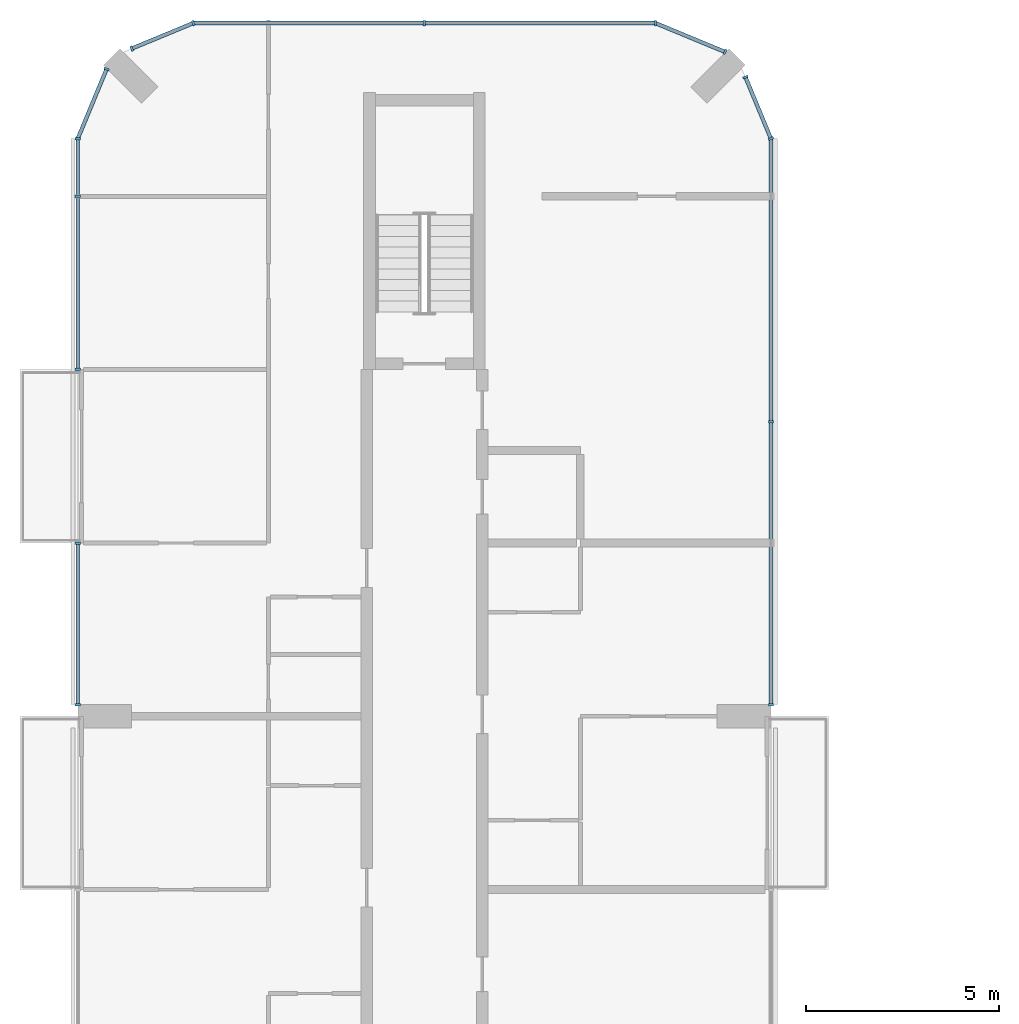
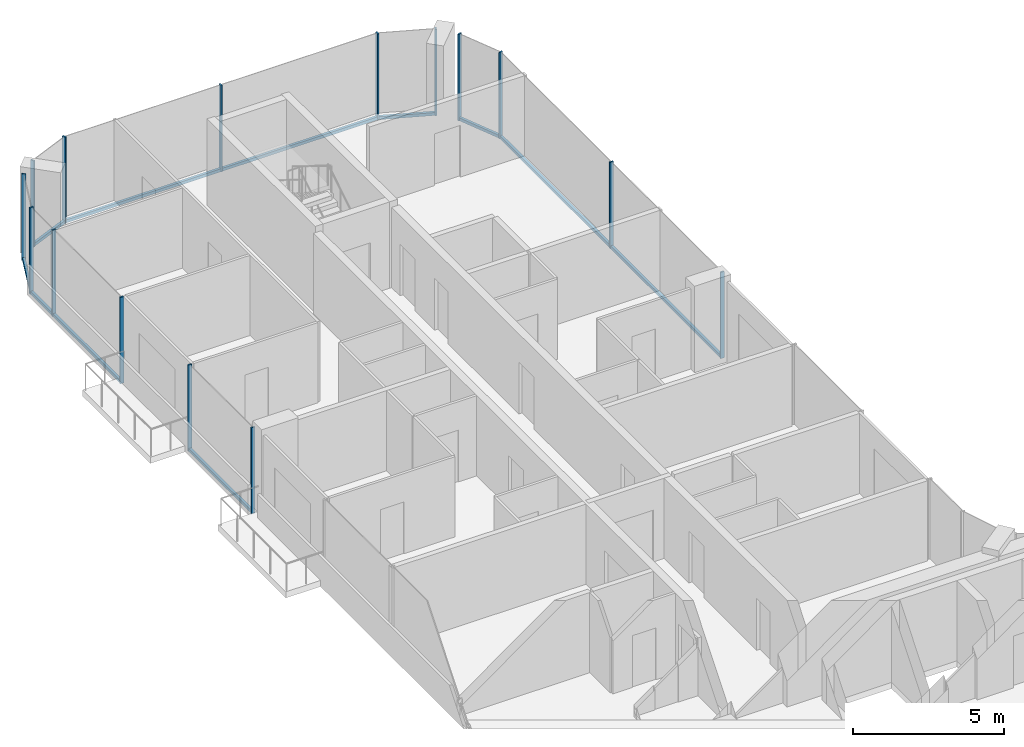
# One storey, part 7 of 15: 23 members, 8 elements without a shape of their own.
"""IFC4 building model written with IfcOpenShell, lengths in metres."""

from ifc_helpers import new_model, si_unit, direction, frame, origin, origin_2d, place, context, subcontext, project, spatial, rectangle, extrude, material, layer, layer_set, material_profile, profile_set, type_object, element, aggregate, save


model = new_model("IFC4")

# Units and contexts
model_context = context("Model", 3, precision=1e-05, world=origin(), true_north=direction((0.0, 1.0)))
body_context = subcontext(model_context, "Body", "Model", "MODEL_VIEW")
ifc_project = project(units=[si_unit("LENGTHUNIT", "METRE"), si_unit("AREAUNIT", "SQUARE_METRE"), si_unit("VOLUMEUNIT", "CUBIC_METRE"), si_unit("PLANEANGLEUNIT", "RADIAN"), si_unit("MASSUNIT", "GRAM", prefix="KILO")], contexts=[model_context])

# Site, building, storey
site_placement = place(None, origin())
site = spatial("IfcSite", under=ifc_project, at=site_placement, CompositionType="ELEMENT")
building_placement = place(site_placement, origin())
building = spatial("IfcBuilding", under=site, at=building_placement, Name="Plateau Cross Towers", CompositionType="ELEMENT")
storey_placement = place(building_placement, frame((0.0, 0.0, 153.39990234375)))
storey = spatial("IfcBuildingStorey", under=building, at=storey_placement, Name="L39", CompositionType="ELEMENT", Elevation=153.39990234375)

# Curtain wall, members
ifc_material_1 = material(Name="Dark low-iron glass", Category="glass")
ifc_layer = layer(ifc_material_1, 0.239990234375)
ifc_layer_set = layer_set([ifc_layer], Name="Dark low-iron glass")
curtain_wall_type = type_object("IfcCurtainWallType", Name="Curtain wall flush unitised CW-B", PredefinedType="NOTDEFINED", material=ifc_layer_set)
curtain_wall_1_placement = place(storey_placement, origin())
curtain_wall_1 = element("IfcCurtainWall", 1, at=curtain_wall_1_placement, inside=storey, type_object=curtain_wall_type, Name="ENV/A/L39/A180_363", PredefinedType="NOTDEFINED")
ifc_material_2 = material(Name="Black anodised aluminium", Category="aluminium")
ifc_material_profile_1 = material_profile(ifc_material_2, rectangle(XDim=0.06005859375, YDim=0.139892578125, at=origin_2d()), Name="MULLION 60x140")
ifc_profile_set_1 = profile_set([ifc_material_profile_1], Name="Black anodised aluminium")
member_type_1 = type_object("IfcMemberType", Name="Mullion 60x140 flush unitised", PredefinedType="MULLION", material=ifc_profile_set_1)
member_1_placement = place(storey_placement, frame((18.0, 36.300048828125, -0.25), z_axis=(0.0, 0.0, 1.0), x_axis=(0.0, 1.0, 0.0)))
member_1 = element("IfcMember", 2, at=member_1_placement, type_object=member_type_1, Name="CW-B mullion 1", PredefinedType="MULLION", context=body_context, shape_type="SweptSolid", body=[
    extrude(rectangle(XDim=0.06005859375, YDim=0.139892578125, at=origin_2d()), origin(), (0.0, 0.0, 1.0), 3.5),
])
member_2_placement = place(storey_placement, frame((18.0, 43.64990234375, -0.25), z_axis=(0.0, 0.0, 1.0), x_axis=(0.0, 1.0, 0.0)))
member_2 = element("IfcMember", 3, at=member_2_placement, type_object=member_type_1, Name="CW-B mullion 2", PredefinedType="MULLION", context=body_context, shape_type="SweptSolid", body=[
    extrude(rectangle(XDim=0.06005859375, YDim=0.139892578125, at=origin_2d()), origin(), (0.0, 0.0, 1.0), 3.5),
])

curtain_wall_2_placement = place(storey_placement, origin())
curtain_wall_2 = element("IfcCurtainWall", 4, at=curtain_wall_2_placement, inside=storey, type_object=curtain_wall_type, Name="ENV/A/L39/A180_510", PredefinedType="NOTDEFINED")
member_3_placement = place(storey_placement, frame((18.0, 51.0, -0.25), z_axis=(0.0, 0.0, 1.0), x_axis=(-0.382683612978, 0.923879457699, 0.0)))
member_3 = element("IfcMember", 5, at=member_3_placement, type_object=member_type_1, Name="CW-B mullion 1", PredefinedType="MULLION", context=body_context, shape_type="SweptSolid", body=[
    extrude(rectangle(XDim=0.06005859375, YDim=0.139892578125, at=origin_2d()), origin(), (0.0, 0.0, 1.0), 3.5),
])
member_4_placement = place(storey_placement, frame((17.338623046875, 52.5966796875, -0.25), z_axis=(0.0, 0.0, 1.0), x_axis=(-0.382683612978, 0.923879457699, 0.0)))
member_4 = element("IfcMember", 6, at=member_4_placement, type_object=member_type_1, Name="CW-B mullion 2", PredefinedType="MULLION", context=body_context, shape_type="SweptSolid", body=[
    extrude(rectangle(XDim=0.06005859375, YDim=0.139892578125, at=origin_2d()), origin(), (0.0, 0.0, 1.0), 3.5),
])

# Curtain wall, member
curtain_wall_3_placement = place(storey_placement, origin())
curtain_wall_3 = element("IfcCurtainWall", 7, at=curtain_wall_3_placement, inside=storey, type_object=curtain_wall_type, Name="ENV/A/L39/A168_533", PredefinedType="NOTDEFINED")
member_5_placement = place(storey_placement, frame((16.805908203125, 53.251953125, -0.25), z_axis=(0.0, 0.0, 1.0), x_axis=(-0.923879457699, 0.382683612978, 0.0)))
member_5 = element("IfcMember", 8, at=member_5_placement, type_object=member_type_1, Name="CW-B mullion 1", PredefinedType="MULLION", context=body_context, shape_type="SweptSolid", body=[
    extrude(rectangle(XDim=0.06005859375, YDim=0.139892578125, at=origin_2d()), origin(), (0.0, 0.0, 1.0), 3.5),
])

# Curtain wall, members
curtain_wall_4_placement = place(storey_placement, origin())
curtain_wall_4 = element("IfcCurtainWall", 9, at=curtain_wall_4_placement, inside=storey, type_object=curtain_wall_type, Name="ENV/A/L39/A150_540", PredefinedType="NOTDEFINED")
member_6_placement = place(storey_placement, frame((15.0, 54.0, -0.25), z_axis=(0.0, 0.0, 1.0), x_axis=(-1.0, 0.0, 0.0)))
member_6 = element("IfcMember", 10, at=member_6_placement, type_object=member_type_1, Name="CW-B mullion 1", PredefinedType="MULLION", context=body_context, shape_type="SweptSolid", body=[
    extrude(rectangle(XDim=0.06005859375, YDim=0.139892578125, at=origin_2d()), origin(), (0.0, 0.0, 1.0), 3.5),
])
member_7_placement = place(storey_placement, frame((9.0, 54.0, -0.25), z_axis=(0.0, 0.0, 1.0), x_axis=(-1.0, 0.0, 0.0)))
member_7 = element("IfcMember", 11, at=member_7_placement, type_object=member_type_1, Name="CW-B mullion 2", PredefinedType="MULLION", context=body_context, shape_type="SweptSolid", body=[
    extrude(rectangle(XDim=0.06005859375, YDim=0.139892578125, at=origin_2d()), origin(), (0.0, 0.0, 1.0), 3.5),
])

curtain_wall_5_placement = place(storey_placement, origin())
curtain_wall_5 = element("IfcCurtainWall", 12, at=curtain_wall_5_placement, inside=storey, type_object=curtain_wall_type, Name="ENV/A/L39/A30_540", PredefinedType="NOTDEFINED")
member_8_placement = place(storey_placement, frame((3.0, 54.0, -0.25), z_axis=(0.0, 0.0, 1.0), x_axis=(-0.923879457699, -0.382683612978, 0.0)))
member_8 = element("IfcMember", 13, at=member_8_placement, type_object=member_type_1, Name="CW-B mullion 1", PredefinedType="MULLION", context=body_context, shape_type="SweptSolid", body=[
    extrude(rectangle(XDim=0.06005859375, YDim=0.139892578125, at=origin_2d()), origin(), (0.0, 0.0, 1.0), 3.5),
])
member_9_placement = place(storey_placement, frame((1.4033203125, 53.338623046875, -0.25), z_axis=(0.0, 0.0, 1.0), x_axis=(-0.923879457699, -0.382683612978, 0.0)))
member_9 = element("IfcMember", 14, at=member_9_placement, type_object=member_type_1, Name="CW-B mullion 2", PredefinedType="MULLION", context=body_context, shape_type="SweptSolid", body=[
    extrude(rectangle(XDim=0.06005859375, YDim=0.139892578125, at=origin_2d()), origin(), (0.0, 0.0, 1.0), 3.5),
])

# Curtain wall, member
curtain_wall_6_placement = place(storey_placement, origin())
curtain_wall_6 = element("IfcCurtainWall", 15, at=curtain_wall_6_placement, inside=storey, type_object=curtain_wall_type, Name="ENV/A/L39/A7_528", PredefinedType="NOTDEFINED")
member_10_placement = place(storey_placement, frame((0.748046875, 52.805908203125, -0.25), z_axis=(0.0, 0.0, 1.0), x_axis=(-0.382683612978, -0.923879457699, 0.0)))
member_10 = element("IfcMember", 16, at=member_10_placement, type_object=member_type_1, Name="CW-B mullion 1", PredefinedType="MULLION", context=body_context, shape_type="SweptSolid", body=[
    extrude(rectangle(XDim=0.06005859375, YDim=0.139892578125, at=origin_2d()), origin(), (0.0, 0.0, 1.0), 3.5),
])

# Curtain wall, members
curtain_wall_7_placement = place(storey_placement, origin())
curtain_wall_7 = element("IfcCurtainWall", 17, at=curtain_wall_7_placement, inside=storey, type_object=curtain_wall_type, Name="ENV/A/L39/A0_510", PredefinedType="NOTDEFINED")
member_11_placement = place(storey_placement, frame((0.0, 51.0, -0.25), z_axis=(0.0, 0.0, 1.0), x_axis=(0.0, -1.0, 0.0)))
member_11 = element("IfcMember", 18, at=member_11_placement, type_object=member_type_1, Name="CW-B mullion 1", PredefinedType="MULLION", context=body_context, shape_type="SweptSolid", body=[
    extrude(rectangle(XDim=0.06005859375, YDim=0.139892578125, at=origin_2d()), origin(), (0.0, 0.0, 1.0), 3.5),
])
member_12_placement = place(storey_placement, frame((0.0, 49.5, -0.25), z_axis=(0.0, 0.0, 1.0), x_axis=(0.0, -1.0, 0.0)))
member_12 = element("IfcMember", 19, at=member_12_placement, type_object=member_type_1, Name="CW-B mullion 2", PredefinedType="MULLION", context=body_context, shape_type="SweptSolid", body=[
    extrude(rectangle(XDim=0.06005859375, YDim=0.139892578125, at=origin_2d()), origin(), (0.0, 0.0, 1.0), 3.5),
])
member_13_placement = place(storey_placement, frame((0.0, 45.010009765625, -0.25), z_axis=(0.0, 0.0, 1.0), x_axis=(0.0, -1.0, 0.0)))
member_13 = element("IfcMember", 20, at=member_13_placement, type_object=member_type_1, Name="CW-B mullion 3", PredefinedType="MULLION", context=body_context, shape_type="SweptSolid", body=[
    extrude(rectangle(XDim=0.06005859375, YDim=0.139892578125, at=origin_2d()), origin(), (0.0, 0.0, 1.0), 3.5),
])

curtain_wall_8_placement = place(storey_placement, origin())
curtain_wall_8 = element("IfcCurtainWall", 21, at=curtain_wall_8_placement, inside=storey, type_object=curtain_wall_type, Name="ENV/A/L39/A0_405", PredefinedType="NOTDEFINED")
member_14_placement = place(storey_placement, frame((0.0, 40.489990234375, -0.25), z_axis=(0.0, 0.0, 1.0), x_axis=(0.0, -1.0, 0.0)))
member_14 = element("IfcMember", 22, at=member_14_placement, type_object=member_type_1, Name="CW-B mullion 1", PredefinedType="MULLION", context=body_context, shape_type="SweptSolid", body=[
    extrude(rectangle(XDim=0.06005859375, YDim=0.139892578125, at=origin_2d()), origin(), (0.0, 0.0, 1.0), 3.5),
])
member_15_placement = place(storey_placement, frame((0.0, 36.300048828125, -0.25), z_axis=(0.0, 0.0, 1.0), x_axis=(0.0, -1.0, 0.0)))
member_15 = element("IfcMember", 23, at=member_15_placement, type_object=member_type_1, Name="CW-B mullion 2", PredefinedType="MULLION", context=body_context, shape_type="SweptSolid", body=[
    extrude(rectangle(XDim=0.06005859375, YDim=0.139892578125, at=origin_2d()), origin(), (0.0, 0.0, 1.0), 3.5),
])

# Member
ifc_material_profile_2 = material_profile(ifc_material_2, rectangle(XDim=0.10009765625, YDim=0.1201171875, at=origin_2d()), Name="TRANSOM 100x120")
ifc_profile_set_2 = profile_set([ifc_material_profile_2], Name="Black anodised aluminium")
member_type_2 = type_object("IfcMemberType", Name="Transom 100x120 flush unitised", PredefinedType="USERDEFINED", material=ifc_profile_set_2)
member_16_placement = place(storey_placement, frame((18.0, 36.300048828125, -0.18994140625), z_axis=(0.0, 1.0, 0.0), x_axis=(-1.0, 0.0, 0.0)))
member_16 = element("IfcMember", 24, at=member_16_placement, type_object=member_type_2, Name="CW-B transom", ObjectType="TRANSOM", PredefinedType="USERDEFINED", context=body_context, shape_type="SweptSolid", body=[
    extrude(rectangle(XDim=0.10009765625, YDim=0.1201171875, at=origin_2d()), origin(), (0.0, 0.0, 1.0), 14.699951171875),
])

aggregate(curtain_wall_1, [member_1, member_2, member_16])

member_17_placement = place(storey_placement, frame((18.0, 51.0, -0.18994140625), z_axis=(-0.382688653628, 0.923877369776, 0.0), x_axis=(-0.923877369776, -0.382688653628, 0.0)))
member_17 = element("IfcMember", 25, at=member_17_placement, type_object=member_type_2, Name="CW-B transom", ObjectType="TRANSOM", PredefinedType="USERDEFINED", context=body_context, shape_type="SweptSolid", body=[
    extrude(rectangle(XDim=0.10009765625, YDim=0.1201171875, at=origin_2d()), origin(), (0.0, 0.0, 1.0), 1.728271484375),
])

aggregate(curtain_wall_2, [member_3, member_4, member_17])

member_18_placement = place(storey_placement, frame((16.805908203125, 53.251953125, -0.18994140625), z_axis=(-0.92387678234, 0.382690071798, 0.0), x_axis=(-0.382690071798, -0.92387678234, 0.0)))
member_18 = element("IfcMember", 26, at=member_18_placement, type_object=member_type_2, Name="CW-B transom", ObjectType="TRANSOM", PredefinedType="USERDEFINED", context=body_context, shape_type="SweptSolid", body=[
    extrude(rectangle(XDim=0.10009765625, YDim=0.1201171875, at=origin_2d()), origin(), (0.0, 0.0, 1.0), 1.95458984375),
])

aggregate(curtain_wall_3, [member_5, member_18])

member_19_placement = place(storey_placement, frame((15.0, 54.0, -0.18994140625), z_axis=(-1.0, 0.0, 0.0), x_axis=(0.0, -1.0, 0.0)))
member_19 = element("IfcMember", 27, at=member_19_placement, type_object=member_type_2, Name="CW-B transom", ObjectType="TRANSOM", PredefinedType="USERDEFINED", context=body_context, shape_type="SweptSolid", body=[
    extrude(rectangle(XDim=0.10009765625, YDim=0.1201171875, at=origin_2d()), origin(), (0.0, 0.0, 1.0), 12.0),
])

aggregate(curtain_wall_4, [member_6, member_7, member_19])

member_20_placement = place(storey_placement, frame((3.0, 54.0, -0.18994140625), z_axis=(-0.923877369776, -0.382688653628, 0.0), x_axis=(0.382688653628, -0.923877369776, 0.0)))
member_20 = element("IfcMember", 28, at=member_20_placement, type_object=member_type_2, Name="CW-B transom", ObjectType="TRANSOM", PredefinedType="USERDEFINED", context=body_context, shape_type="SweptSolid", body=[
    extrude(rectangle(XDim=0.10009765625, YDim=0.1201171875, at=origin_2d()), origin(), (0.0, 0.0, 1.0), 1.728271484375),
])

aggregate(curtain_wall_5, [member_8, member_9, member_20])

member_21_placement = place(storey_placement, frame((0.748046875, 52.805908203125, -0.18994140625), z_axis=(-0.382690071798, -0.92387678234, 0.0), x_axis=(0.92387678234, -0.382690071798, 0.0)))
member_21 = element("IfcMember", 29, at=member_21_placement, type_object=member_type_2, Name="CW-B transom", ObjectType="TRANSOM", PredefinedType="USERDEFINED", context=body_context, shape_type="SweptSolid", body=[
    extrude(rectangle(XDim=0.10009765625, YDim=0.1201171875, at=origin_2d()), origin(), (0.0, 0.0, 1.0), 1.95458984375),
])

aggregate(curtain_wall_6, [member_10, member_21])

member_22_placement = place(storey_placement, frame((0.0, 51.0, -0.18994140625), z_axis=(0.0, -1.0, 0.0), x_axis=(1.0, 0.0, 0.0)))
member_22 = element("IfcMember", 30, at=member_22_placement, type_object=member_type_2, Name="CW-B transom", ObjectType="TRANSOM", PredefinedType="USERDEFINED", context=body_context, shape_type="SweptSolid", body=[
    extrude(rectangle(XDim=0.10009765625, YDim=0.1201171875, at=origin_2d()), origin(), (0.0, 0.0, 1.0), 5.989990234375),
])

aggregate(curtain_wall_7, [member_11, member_12, member_13, member_22])

member_23_placement = place(storey_placement, frame((0.0, 40.489990234375, -0.18994140625), z_axis=(0.0, -1.0, 0.0), x_axis=(1.0, 0.0, 0.0)))
member_23 = element("IfcMember", 31, at=member_23_placement, type_object=member_type_2, Name="CW-B transom", ObjectType="TRANSOM", PredefinedType="USERDEFINED", context=body_context, shape_type="SweptSolid", body=[
    extrude(rectangle(XDim=0.10009765625, YDim=0.1201171875, at=origin_2d()), origin(), (0.0, 0.0, 1.0), 4.18994140625),
])

aggregate(curtain_wall_8, [member_14, member_15, member_23])

save(model, "model.ifc")
